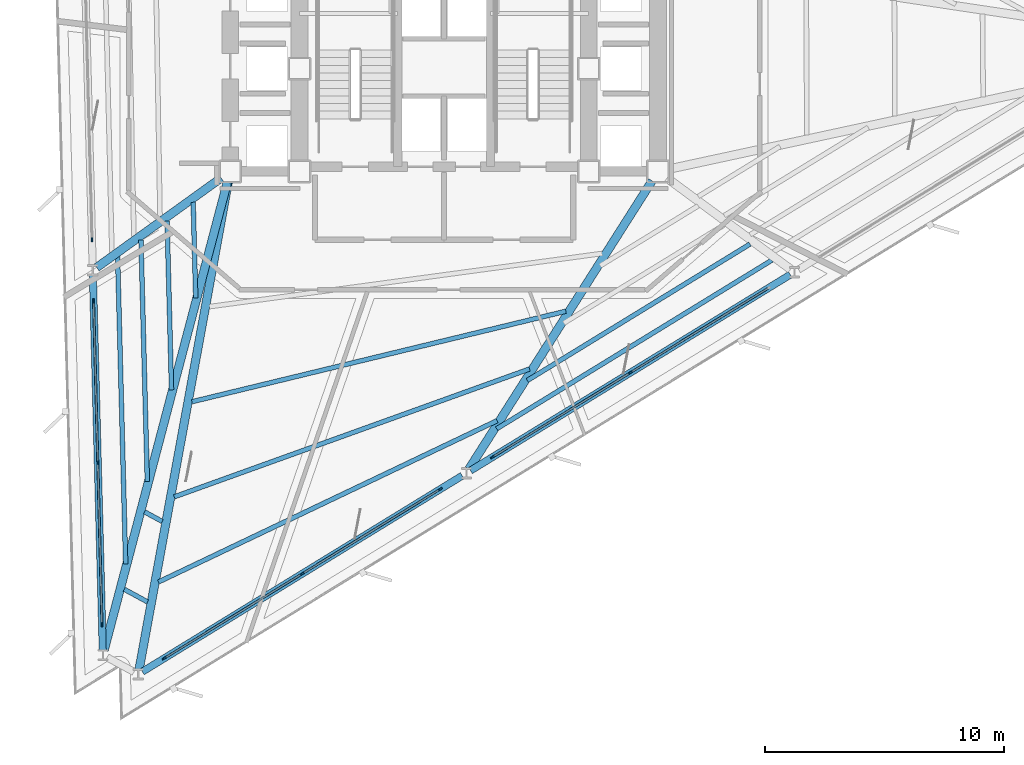
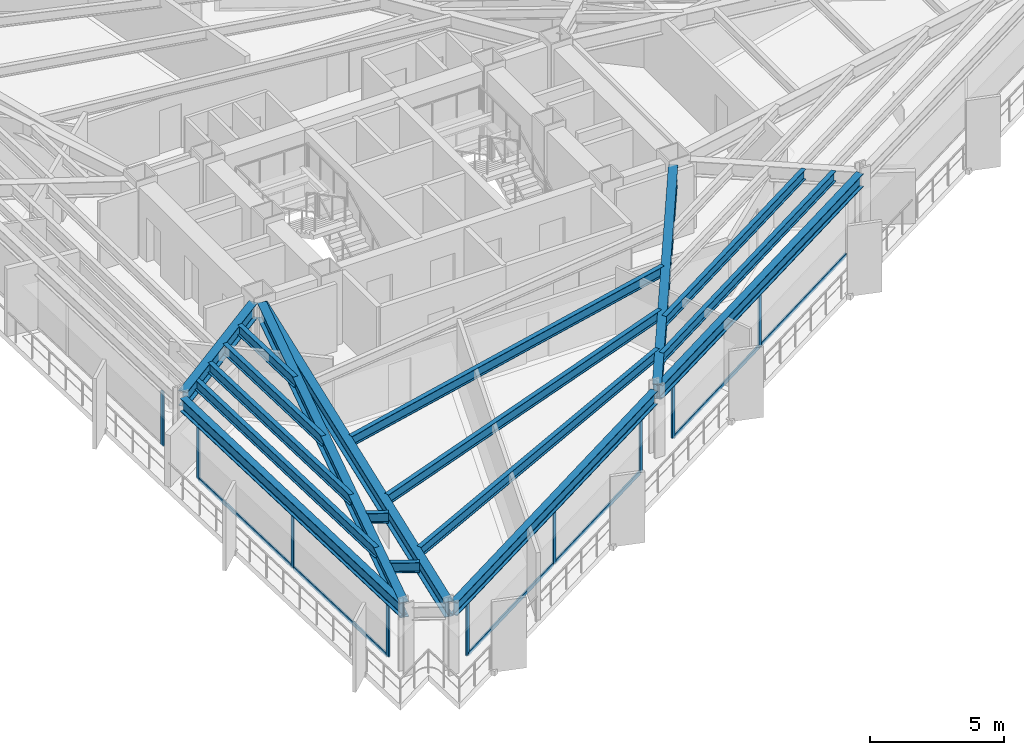
# One storey, part 2 of 14: 21 members, 18 beams, 4 elements without a shape of their own.
"""IFC4 building model written with IfcOpenShell, lengths in metres."""

from ifc_helpers import new_model, si_unit, direction, frame, origin, origin_2d, place, context, subcontext, project, spatial, rectangle, i_section, extrude, material, layer, layer_set, material_profile, profile_set, type_object, element, aggregate, save


model = new_model("IFC4")

# Units and contexts
model_context = context("Model", 3, precision=1e-05, world=origin(), true_north=direction((0.0, 1.0)))
body_context = subcontext(model_context, "Body", "Model", "MODEL_VIEW")
ifc_project = project(units=[si_unit("LENGTHUNIT", "METRE"), si_unit("AREAUNIT", "SQUARE_METRE"), si_unit("VOLUMEUNIT", "CUBIC_METRE"), si_unit("PLANEANGLEUNIT", "RADIAN"), si_unit("MASSUNIT", "GRAM", prefix="KILO")], contexts=[model_context])

# Site, building, storey
site_placement = place(None, origin())
site = spatial("IfcSite", under=ifc_project, at=site_placement, CompositionType="ELEMENT")
building_placement = place(site_placement, origin())
building = spatial("IfcBuilding", under=site, at=building_placement, Name="Rocaltana Carrier Exchange", CompositionType="ELEMENT")
storey_placement = place(building_placement, frame((0.0, 0.0, 32.320068359375)))
storey = spatial("IfcBuildingStorey", under=building, at=storey_placement, Name="L10", CompositionType="ELEMENT", Elevation=32.320068359375)

# Curtain wall, member
ifc_material_1 = material(Name="Aluminium 6063-T6", Category="aluminium")
ifc_layer = layer(ifc_material_1, 0.179931640625)
ifc_layer_set = layer_set([ifc_layer], Name="Aluminium 6063-T6")
curtain_wall_type = type_object("IfcCurtainWallType", Name="Sandstone Spandrel Unitised Curtain Wall CW-01", PredefinedType="NOTDEFINED", material=ifc_layer_set)
curtain_wall_1_placement = place(storey_placement, origin())
curtain_wall_1 = element("IfcCurtainWall", 1, at=curtain_wall_1_placement, inside=storey, type_object=curtain_wall_type, Name="L10 CW-01 Run CW-L10-F2S2", PredefinedType="NOTDEFINED")
ifc_material_2 = material(Name="Aluminium 6063-T6", Category="aluminium")
ifc_material_profile_1 = material_profile(ifc_material_2, rectangle(XDim=0.06494140625, YDim=0.179931640625, at=origin_2d()), Name="AL-65X180")
ifc_profile_set_1 = profile_set([ifc_material_profile_1], Name="Aluminium 6063-T6")
member_type_1 = type_object("IfcMemberType", Name="CW-01 Mullion AL-65X180", PredefinedType="MULLION", material=ifc_profile_set_1)
member_1_placement = place(storey_placement, frame((-14.733642578125, -7.155517578125, 0.0), z_axis=(0.0, 0.0, 1.0), x_axis=(0.99965733548, 0.026176547142, 0.0)))
member_1 = element("IfcMember", 2, at=member_1_placement, type_object=member_type_1, Name="CW-01 mullion 3", PredefinedType="MULLION", context=body_context, shape_type="SweptSolid", body=[
    extrude(rectangle(XDim=0.06494140625, YDim=0.179931640625, at=origin_2d()), origin(), (0.0, 0.0, 1.0), 2.47802734375),
])
aggregate(curtain_wall_1, [member_1])

# Curtain wall, members
curtain_wall_2_placement = place(storey_placement, origin())
curtain_wall_2 = element("IfcCurtainWall", 3, at=curtain_wall_2_placement, inside=storey, type_object=curtain_wall_type, Name="L10 CW-01 Run CW-L10-F2S3", PredefinedType="NOTDEFINED")
member_2_placement = place(storey_placement, frame((-14.66650390625, -9.7197265625, 0.0), z_axis=(0.0, 0.0, 1.0), x_axis=(0.999657143044, 0.026183895077, 0.0)))
member_2 = element("IfcMember", 4, at=member_2_placement, type_object=member_type_1, Name="CW-01 mullion 1", PredefinedType="MULLION", context=body_context, shape_type="SweptSolid", body=[
    extrude(rectangle(XDim=0.06494140625, YDim=0.179931640625, at=origin_2d()), origin(), (0.0, 0.0, 1.0), 2.47802734375),
])
member_3_placement = place(storey_placement, frame((-14.4892578125, -16.48486328125, 0.0), z_axis=(0.0, 0.0, 1.0), x_axis=(0.999657143044, 0.026183895077, 0.0)))
member_3 = element("IfcMember", 5, at=member_3_placement, type_object=member_type_1, Name="CW-01 mullion 2", PredefinedType="MULLION", context=body_context, shape_type="SweptSolid", body=[
    extrude(rectangle(XDim=0.06494140625, YDim=0.179931640625, at=origin_2d()), origin(), (0.0, 0.0, 1.0), 2.47802734375),
])
member_4_placement = place(storey_placement, frame((-14.31201171875, -23.25, 0.0), z_axis=(0.0, 0.0, 1.0), x_axis=(0.999657143044, 0.026183895077, 0.0)))
member_4 = element("IfcMember", 6, at=member_4_placement, type_object=member_type_1, Name="CW-01 mullion 3", PredefinedType="MULLION", context=body_context, shape_type="SweptSolid", body=[
    extrude(rectangle(XDim=0.06494140625, YDim=0.179931640625, at=origin_2d()), origin(), (0.0, 0.0, 1.0), 2.47802734375),
])

curtain_wall_3_placement = place(storey_placement, origin())
curtain_wall_3 = element("IfcCurtainWall", 7, at=curtain_wall_3_placement, inside=storey, type_object=curtain_wall_type, Name="L10 CW-01 Run CW-L10-F3S1", PredefinedType="NOTDEFINED")
member_5_placement = place(storey_placement, frame((-11.704345703125, -24.666015625, 0.0), z_axis=(0.0, 0.0, 1.0), x_axis=(-0.522505157925, 0.852636123996, 0.0)))
member_5 = element("IfcMember", 8, at=member_5_placement, type_object=member_type_1, Name="CW-01 mullion 1", PredefinedType="MULLION", context=body_context, shape_type="SweptSolid", body=[
    extrude(rectangle(XDim=0.06494140625, YDim=0.179931640625, at=origin_2d()), origin(), (0.0, 0.0, 1.0), 2.47802734375),
])
member_6_placement = place(storey_placement, frame((-5.93408203125, -21.130126953125, 0.0), z_axis=(0.0, 0.0, 1.0), x_axis=(-0.522505157925, 0.852636123996, 0.0)))
member_6 = element("IfcMember", 9, at=member_6_placement, type_object=member_type_1, Name="CW-01 mullion 2", PredefinedType="MULLION", context=body_context, shape_type="SweptSolid", body=[
    extrude(rectangle(XDim=0.06494140625, YDim=0.179931640625, at=origin_2d()), origin(), (0.0, 0.0, 1.0), 2.47802734375),
])
member_7_placement = place(storey_placement, frame((-0.163818359375, -17.593994140625, 0.0), z_axis=(0.0, 0.0, 1.0), x_axis=(-0.522505157925, 0.852636123996, 0.0)))
member_7 = element("IfcMember", 10, at=member_7_placement, type_object=member_type_1, Name="CW-01 mullion 3", PredefinedType="MULLION", context=body_context, shape_type="SweptSolid", body=[
    extrude(rectangle(XDim=0.06494140625, YDim=0.179931640625, at=origin_2d()), origin(), (0.0, 0.0, 1.0), 2.47802734375),
])

curtain_wall_4_placement = place(storey_placement, origin())
curtain_wall_4 = element("IfcCurtainWall", 11, at=curtain_wall_4_placement, inside=storey, type_object=curtain_wall_type, Name="L10 CW-01 Run CW-L10-F3S2", PredefinedType="NOTDEFINED")
member_8_placement = place(storey_placement, frame((2.023193359375, -16.25390625, 0.0), z_axis=(0.0, 0.0, 1.0), x_axis=(-0.522499812415, 0.852639399762, 0.0)))
member_8 = element("IfcMember", 12, at=member_8_placement, type_object=member_type_1, Name="CW-01 mullion 1", PredefinedType="MULLION", context=body_context, shape_type="SweptSolid", body=[
    extrude(rectangle(XDim=0.06494140625, YDim=0.179931640625, at=origin_2d()), origin(), (0.0, 0.0, 1.0), 2.47802734375),
])
member_9_placement = place(storey_placement, frame((7.79345703125, -12.7177734375, 0.0), z_axis=(0.0, 0.0, 1.0), x_axis=(-0.522499812415, 0.852639399762, 0.0)))
member_9 = element("IfcMember", 13, at=member_9_placement, type_object=member_type_1, Name="CW-01 mullion 2", PredefinedType="MULLION", context=body_context, shape_type="SweptSolid", body=[
    extrude(rectangle(XDim=0.06494140625, YDim=0.179931640625, at=origin_2d()), origin(), (0.0, 0.0, 1.0), 2.47802734375),
])

# Member
ifc_material_3 = material(Name="Aluminium 6063-T6", Category="aluminium")
ifc_material_profile_2 = material_profile(ifc_material_3, rectangle(XDim=0.06494140625, YDim=0.179931640625, at=origin_2d()), Name="AL-65X180")
ifc_profile_set_2 = profile_set([ifc_material_profile_2], Name="Aluminium 6063-T6")
member_type_2 = type_object("IfcMemberType", Name="CW-01 Transom AL-65X180", PredefinedType="USERDEFINED", material=ifc_profile_set_2)
member_10_placement = place(storey_placement, frame((-14.66552734375, -9.752197265625, 0.032470703125), z_axis=(0.026189818331, -0.999656987879, 0.0), x_axis=(0.999656987879, 0.026189818331, 0.0)))
member_10 = element("IfcMember", 14, at=member_10_placement, type_object=member_type_2, Name="CW-01 transom 1.1", ObjectType="TRANSOM", PredefinedType="USERDEFINED", context=body_context, shape_type="SweptSolid", body=[
    extrude(rectangle(XDim=0.06494140625, YDim=0.179931640625, at=origin_2d()), origin(), (0.0, 0.0, 1.0), 6.702392578125),
])

member_11_placement = place(storey_placement, frame((-14.66552734375, -9.752197265625, 2.4453125), z_axis=(0.026189818331, -0.999656987879, 0.0), x_axis=(0.999656987879, 0.026189818331, 0.0)))
member_11 = element("IfcMember", 15, at=member_11_placement, type_object=member_type_2, Name="CW-01 transom 1.2", ObjectType="TRANSOM", PredefinedType="USERDEFINED", context=body_context, shape_type="SweptSolid", body=[
    extrude(rectangle(XDim=0.06494140625, YDim=0.179931640625, at=origin_2d()), origin(), (0.0, 0.0, 1.0), 6.702392578125),
])

member_12_placement = place(storey_placement, frame((-14.48828125, -16.517333984375, 0.032470703125), z_axis=(0.026153417925, -0.999657940863, 0.0), x_axis=(0.999657940863, 0.026153417925, 0.0)))
member_12 = element("IfcMember", 16, at=member_12_placement, type_object=member_type_2, Name="CW-01 transom 2.1", ObjectType="TRANSOM", PredefinedType="USERDEFINED", context=body_context, shape_type="SweptSolid", body=[
    extrude(rectangle(XDim=0.06494140625, YDim=0.179931640625, at=origin_2d()), origin(), (0.0, 0.0, 1.0), 6.702392578125),
])

member_13_placement = place(storey_placement, frame((-14.48828125, -16.517333984375, 2.4453125), z_axis=(0.026153417925, -0.999657940863, 0.0), x_axis=(0.999657940863, 0.026153417925, 0.0)))
member_13 = element("IfcMember", 17, at=member_13_placement, type_object=member_type_2, Name="CW-01 transom 2.2", ObjectType="TRANSOM", PredefinedType="USERDEFINED", context=body_context, shape_type="SweptSolid", body=[
    extrude(rectangle(XDim=0.06494140625, YDim=0.179931640625, at=origin_2d()), origin(), (0.0, 0.0, 1.0), 6.702392578125),
])

aggregate(curtain_wall_2, [member_2, member_3, member_4, member_10, member_11, member_12, member_13])

member_14_placement = place(storey_placement, frame((-11.676513671875, -24.649169921875, 0.032470703125), z_axis=(0.85263109068, 0.522513371318, 0.0), x_axis=(-0.522513371318, 0.85263109068, 0.0)))
member_14 = element("IfcMember", 18, at=member_14_placement, type_object=member_type_2, Name="CW-01 transom 1.1", ObjectType="TRANSOM", PredefinedType="USERDEFINED", context=body_context, shape_type="SweptSolid", body=[
    extrude(rectangle(XDim=0.06494140625, YDim=0.179931640625, at=origin_2d()), origin(), (0.0, 0.0, 1.0), 6.70263671875),
])

member_15_placement = place(storey_placement, frame((-11.676513671875, -24.649169921875, 2.4453125), z_axis=(0.85263109068, 0.522513371318, 0.0), x_axis=(-0.522513371318, 0.85263109068, 0.0)))
member_15 = element("IfcMember", 19, at=member_15_placement, type_object=member_type_2, Name="CW-01 transom 1.2", ObjectType="TRANSOM", PredefinedType="USERDEFINED", context=body_context, shape_type="SweptSolid", body=[
    extrude(rectangle(XDim=0.06494140625, YDim=0.179931640625, at=origin_2d()), origin(), (0.0, 0.0, 1.0), 6.70263671875),
])

member_16_placement = place(storey_placement, frame((-5.90625, -21.113037109375, 0.032470703125), z_axis=(0.85264731822, 0.522486890488, 0.0), x_axis=(-0.522486890488, 0.85264731822, 0.0)))
member_16 = element("IfcMember", 20, at=member_16_placement, type_object=member_type_2, Name="CW-01 transom 2.1", ObjectType="TRANSOM", PredefinedType="USERDEFINED", context=body_context, shape_type="SweptSolid", body=[
    extrude(rectangle(XDim=0.06494140625, YDim=0.179931640625, at=origin_2d()), origin(), (0.0, 0.0, 1.0), 6.702392578125),
])

member_17_placement = place(storey_placement, frame((-5.90625, -21.113037109375, 2.4453125), z_axis=(0.85264731822, 0.522486890488, 0.0), x_axis=(-0.522486890488, 0.85264731822, 0.0)))
member_17 = element("IfcMember", 21, at=member_17_placement, type_object=member_type_2, Name="CW-01 transom 2.2", ObjectType="TRANSOM", PredefinedType="USERDEFINED", context=body_context, shape_type="SweptSolid", body=[
    extrude(rectangle(XDim=0.06494140625, YDim=0.179931640625, at=origin_2d()), origin(), (0.0, 0.0, 1.0), 6.702392578125),
])

aggregate(curtain_wall_3, [member_5, member_6, member_7, member_14, member_15, member_16, member_17])

member_18_placement = place(storey_placement, frame((2.051025390625, -16.23681640625, 0.032470703125), z_axis=(0.852637373876, 0.522503118335, 0.0), x_axis=(-0.522503118335, 0.852637373876, 0.0)))
member_18 = element("IfcMember", 22, at=member_18_placement, type_object=member_type_2, Name="CW-01 transom 1.1", ObjectType="TRANSOM", PredefinedType="USERDEFINED", context=body_context, shape_type="SweptSolid", body=[
    extrude(rectangle(XDim=0.06494140625, YDim=0.179931640625, at=origin_2d()), origin(), (0.0, 0.0, 1.0), 6.7021484375),
])

member_19_placement = place(storey_placement, frame((2.051025390625, -16.23681640625, 2.4453125), z_axis=(0.852637373876, 0.522503118335, 0.0), x_axis=(-0.522503118335, 0.852637373876, 0.0)))
member_19 = element("IfcMember", 23, at=member_19_placement, type_object=member_type_2, Name="CW-01 transom 1.2", ObjectType="TRANSOM", PredefinedType="USERDEFINED", context=body_context, shape_type="SweptSolid", body=[
    extrude(rectangle(XDim=0.06494140625, YDim=0.179931640625, at=origin_2d()), origin(), (0.0, 0.0, 1.0), 6.7021484375),
])

member_20_placement = place(storey_placement, frame((7.821044921875, -12.700927734375, 0.032470703125), z_axis=(0.85263109068, 0.522513371318, 0.0), x_axis=(-0.522513371318, 0.85263109068, 0.0)))
member_20 = element("IfcMember", 24, at=member_20_placement, type_object=member_type_2, Name="CW-01 transom 2.1", ObjectType="TRANSOM", PredefinedType="USERDEFINED", context=body_context, shape_type="SweptSolid", body=[
    extrude(rectangle(XDim=0.06494140625, YDim=0.179931640625, at=origin_2d()), origin(), (0.0, 0.0, 1.0), 6.70263671875),
])

member_21_placement = place(storey_placement, frame((7.821044921875, -12.700927734375, 2.4453125), z_axis=(0.85263109068, 0.522513371318, 0.0), x_axis=(-0.522513371318, 0.85263109068, 0.0)))
member_21 = element("IfcMember", 25, at=member_21_placement, type_object=member_type_2, Name="CW-01 transom 2.2", ObjectType="TRANSOM", PredefinedType="USERDEFINED", context=body_context, shape_type="SweptSolid", body=[
    extrude(rectangle(XDim=0.06494140625, YDim=0.179931640625, at=origin_2d()), origin(), (0.0, 0.0, 1.0), 6.70263671875),
])

aggregate(curtain_wall_4, [member_8, member_9, member_18, member_19, member_20, member_21])

# Beams
ifc_material_4 = material(Name="Steel S355", Category="steel")
ifc_material_profile_3 = material_profile(ifc_material_4, i_section(OverallWidth=0.193115234375, OverallDepth=0.466064453125, WebThickness=0.011474609375, FlangeThickness=0.01904296875, FilletRadius=0.013916015625, at=origin_2d()), Name="W18X65")
ifc_profile_set_3 = profile_set([ifc_material_profile_3], Name="Steel S355")
beam_type_1 = type_object("IfcBeamType", Name="Floor Joist W18X65", PredefinedType="JOIST", material=ifc_profile_set_3)
beam_1_placement = place(storey_placement, frame((-10.498046875, -5.588623046875, 2.864990234375), z_axis=(0.02615756085, -0.999657832466, 0.0), x_axis=(0.999657832466, 0.02615756085, 0.0)))
element("IfcBeam", 26, at=beam_1_placement, inside=storey, type_object=beam_type_1, Name="FJ-L10-07-1", PredefinedType="JOIST", context=body_context, shape_type="SweptSolid", body=[
    extrude(i_section(OverallWidth=0.193115234375, OverallDepth=0.466064453125, WebThickness=0.011474609375, FlangeThickness=0.01904296875, FilletRadius=0.013916015625, at=origin_2d()), origin(), (0.0, 0.0, 1.0), 4.004150390625),
])
beam_2_placement = place(storey_placement, frame((-11.590576171875, -6.374755859375, 2.864990234375), z_axis=(0.026201236861, -0.999656688662, 0.0), x_axis=(0.999656688662, 0.026201236861, 0.0)))
element("IfcBeam", 27, at=beam_2_placement, inside=storey, type_object=beam_type_1, Name="FJ-L10-07-2", PredefinedType="JOIST", context=body_context, shape_type="SweptSolid", body=[
    extrude(i_section(OverallWidth=0.193115234375, OverallDepth=0.466064453125, WebThickness=0.011474609375, FlangeThickness=0.01904296875, FilletRadius=0.013916015625, at=origin_2d()), origin(), (0.0, 0.0, 1.0), 7.06298828125),
])
beam_3_placement = place(storey_placement, frame((-12.68310546875, -7.160888671875, 2.864990234375), z_axis=(0.026193779282, -0.999656884099, 0.0), x_axis=(0.999656884099, 0.026193779282, 0.0)))
element("IfcBeam", 28, at=beam_3_placement, inside=storey, type_object=beam_type_1, Name="FJ-L10-07-3", PredefinedType="JOIST", context=body_context, shape_type="SweptSolid", body=[
    extrude(i_section(OverallWidth=0.193115234375, OverallDepth=0.466064453125, WebThickness=0.011474609375, FlangeThickness=0.01904296875, FilletRadius=0.013916015625, at=origin_2d()), origin(), (0.0, 0.0, 1.0), 10.1220703125),
])
beam_4_placement = place(storey_placement, frame((-13.660400390625, -7.864501953125, 2.864990234375), z_axis=(0.026162886521, -0.999657693097, 0.0), x_axis=(0.999657693097, 0.026162886521, 0.0)))
element("IfcBeam", 29, at=beam_4_placement, inside=storey, type_object=beam_type_1, Name="FJ-L10-07-4", PredefinedType="JOIST", context=body_context, shape_type="SweptSolid", body=[
    extrude(i_section(OverallWidth=0.193115234375, OverallDepth=0.466064453125, WebThickness=0.011474609375, FlangeThickness=0.01904296875, FilletRadius=0.013916015625, at=origin_2d()), origin(), (0.0, 0.0, 1.0), 12.85888671875),
])
beam_5_placement = place(storey_placement, frame((-12.529296875, -18.54443359375, 2.864990234375), z_axis=(0.878797482276, -0.477194913159, 0.0), x_axis=(0.477194913159, 0.878797482276, 0.0)))
element("IfcBeam", 30, at=beam_5_placement, inside=storey, type_object=beam_type_1, Name="FJ-L10-08-3", PredefinedType="JOIST", context=body_context, shape_type="SweptSolid", body=[
    extrude(i_section(OverallWidth=0.193115234375, OverallDepth=0.466064453125, WebThickness=0.011474609375, FlangeThickness=0.01904296875, FilletRadius=0.013916015625, at=origin_2d()), origin(), (0.0, 0.0, 1.0), 0.83642578125),
])
beam_6_placement = place(storey_placement, frame((-13.3818359375, -21.781494140625, 2.864990234375), z_axis=(0.878771440965, -0.477242867462, 0.0), x_axis=(0.477242867462, 0.878771440965, 0.0)))
element("IfcBeam", 31, at=beam_6_placement, inside=storey, type_object=beam_type_1, Name="FJ-L10-08-4", PredefinedType="JOIST", context=body_context, shape_type="SweptSolid", body=[
    extrude(i_section(OverallWidth=0.193115234375, OverallDepth=0.466064453125, WebThickness=0.011474609375, FlangeThickness=0.01904296875, FilletRadius=0.013916015625, at=origin_2d()), origin(), (0.0, 0.0, 1.0), 1.10595703125),
])
beam_7_placement = place(storey_placement, frame((-10.55322265625, -13.936279296875, 2.864990234375), z_axis=(0.971913306863, 0.235339167889, 0.0), x_axis=(-0.235339167889, 0.971913306863, 0.0)))
element("IfcBeam", 32, at=beam_7_placement, inside=storey, type_object=beam_type_1, Name="FJ-L10-09-2", PredefinedType="JOIST", context=body_context, shape_type="SweptSolid", body=[
    extrude(i_section(OverallWidth=0.193115234375, OverallDepth=0.466064453125, WebThickness=0.011474609375, FlangeThickness=0.01904296875, FilletRadius=0.013916015625, at=origin_2d()), origin(), (0.0, 0.0, 1.0), 16.099365234375),
])
beam_8_placement = place(storey_placement, frame((-11.289794921875, -17.915283203125, 2.864990234375), z_axis=(0.940885835943, 0.338723845813, 0.0), x_axis=(-0.338723845813, 0.940885835943, 0.0)))
element("IfcBeam", 33, at=beam_8_placement, inside=storey, type_object=beam_type_1, Name="FJ-L10-09-3", PredefinedType="JOIST", context=body_context, shape_type="SweptSolid", body=[
    extrude(i_section(OverallWidth=0.193115234375, OverallDepth=0.466064453125, WebThickness=0.011474609375, FlangeThickness=0.01904296875, FilletRadius=0.013916015625, at=origin_2d()), origin(), (0.0, 0.0, 1.0), 15.799072265625),
])
beam_9_placement = place(storey_placement, frame((-11.950439453125, -21.475830078125, 2.864990234375), z_axis=(0.902777117636, 0.430108679141, 0.0), x_axis=(-0.430108679141, 0.902777117636, 0.0)))
element("IfcBeam", 34, at=beam_9_placement, inside=storey, type_object=beam_type_1, Name="FJ-L10-09-4", PredefinedType="JOIST", context=body_context, shape_type="SweptSolid", body=[
    extrude(i_section(OverallWidth=0.193115234375, OverallDepth=0.466064453125, WebThickness=0.011474609375, FlangeThickness=0.01904296875, FilletRadius=0.013916015625, at=origin_2d()), origin(), (0.0, 0.0, 1.0), 15.69482421875),
])
beam_10_placement = place(storey_placement, frame((3.48193359375, -13.047119140625, 2.864990234375), z_axis=(0.852647168541, 0.52248713475, 0.0), x_axis=(-0.52248713475, 0.852647168541, 0.0)))
element("IfcBeam", 35, at=beam_10_placement, inside=storey, type_object=beam_type_1, Name="FJ-L10-10-3", PredefinedType="JOIST", context=body_context, shape_type="SweptSolid", body=[
    extrude(i_section(OverallWidth=0.193115234375, OverallDepth=0.466064453125, WebThickness=0.011474609375, FlangeThickness=0.01904296875, FilletRadius=0.013916015625, at=origin_2d()), origin(), (0.0, 0.0, 1.0), 10.927001953125),
])
beam_11_placement = place(storey_placement, frame((2.19873046875, -15.06689453125, 2.864990234375), z_axis=(0.852643866126, 0.522492523926, 0.0), x_axis=(-0.522492523926, 0.852643866126, 0.0)))
element("IfcBeam", 36, at=beam_11_placement, inside=storey, type_object=beam_type_1, Name="FJ-L10-10-4", PredefinedType="JOIST", context=body_context, shape_type="SweptSolid", body=[
    extrude(i_section(OverallWidth=0.193115234375, OverallDepth=0.466064453125, WebThickness=0.011474609375, FlangeThickness=0.01904296875, FilletRadius=0.013916015625, at=origin_2d()), origin(), (0.0, 0.0, 1.0), 13.5029296875),
])
ifc_material_5 = material(Name="Steel S355", Category="steel")
ifc_material_profile_4 = material_profile(ifc_material_5, i_section(OverallWidth=0.35498046875, OverallDepth=0.695068359375, WebThickness=0.015380859375, FlangeThickness=0.02490234375, FilletRadius=0.01806640625, at=origin_2d()), Name="W27X146")
ifc_profile_set_4 = profile_set([ifc_material_profile_4], Name="Steel S355")
beam_type_2 = type_object("IfcBeamType", Name="Radial Girder W27X146", PredefinedType="BEAM", material=ifc_profile_set_4)
beam_12_placement = place(storey_placement, frame((-9.3291015625, -4.57275390625, 2.75048828125), z_axis=(-0.811680897727, -0.584101121609, 0.0), x_axis=(0.584101121609, -0.811680897727, 0.0)))
element("IfcBeam", 37, at=beam_12_placement, inside=storey, type_object=beam_type_2, Name="RG-L10-07", PredefinedType="BEAM", context=body_context, shape_type="SweptSolid", body=[
    extrude(i_section(OverallWidth=0.35498046875, OverallDepth=0.695068359375, WebThickness=0.015380859375, FlangeThickness=0.02490234375, FilletRadius=0.01806640625, at=origin_2d()), origin(), (0.0, 0.0, 1.0), 6.4130859375),
])
beam_13_placement = place(storey_placement, frame((-9.06884765625, -4.751708984375, 2.75048828125), z_axis=(-0.254688527576, -0.967023140323, 0.0), x_axis=(0.967023140323, -0.254688527576, 0.0)))
element("IfcBeam", 38, at=beam_13_placement, inside=storey, type_object=beam_type_2, Name="RG-L10-08", PredefinedType="BEAM", context=body_context, shape_type="SweptSolid", body=[
    extrude(i_section(OverallWidth=0.35498046875, OverallDepth=0.695068359375, WebThickness=0.015380859375, FlangeThickness=0.02490234375, FilletRadius=0.01806640625, at=origin_2d()), origin(), (0.0, 0.0, 1.0), 20.2509765625),
])
beam_14_placement = place(storey_placement, frame((-9.033935546875, -4.759521484375, 2.75048828125), z_axis=(-0.179928749917, -0.983679645491, 0.0), x_axis=(0.983679645491, -0.179928749917, 0.0)))
element("IfcBeam", 39, at=beam_14_placement, inside=storey, type_object=beam_type_2, Name="RG-L10-09", PredefinedType="BEAM", context=body_context, shape_type="SweptSolid", body=[
    extrude(i_section(OverallWidth=0.35498046875, OverallDepth=0.695068359375, WebThickness=0.015380859375, FlangeThickness=0.02490234375, FilletRadius=0.01806640625, at=origin_2d()), origin(), (0.0, 0.0, 1.0), 20.714111328125),
])
beam_15_placement = place(storey_placement, frame((8.69970703125, -4.694091796875, 2.75048828125), z_axis=(-0.536258289546, -0.844053936009, 0.0), x_axis=(0.844053936009, -0.536258289546, 0.0)))
element("IfcBeam", 40, at=beam_15_placement, inside=storey, type_object=beam_type_2, Name="RG-L10-10", PredefinedType="BEAM", context=body_context, shape_type="SweptSolid", body=[
    extrude(i_section(OverallWidth=0.35498046875, OverallDepth=0.695068359375, WebThickness=0.015380859375, FlangeThickness=0.02490234375, FilletRadius=0.01806640625, at=origin_2d()), origin(), (0.0, 0.0, 1.0), 14.285400390625),
])
ifc_material_6 = material(Name="Steel S355", Category="steel")
ifc_material_profile_5 = material_profile(ifc_material_6, i_section(OverallWidth=0.300048828125, OverallDepth=0.60009765625, WebThickness=0.015380859375, FlangeThickness=0.030029296875, FilletRadius=0.027099609375, at=origin_2d()), Name="HEB600")
ifc_profile_set_5 = profile_set([ifc_material_profile_5], Name="Steel S355")
beam_type_3 = type_object("IfcBeamType", Name="Spandrel Edge Beam HEB600", PredefinedType="SPANDREL", material=ifc_profile_set_5)
beam_16_placement = place(storey_placement, frame((-14.694580078125, -8.6416015625, 2.7978515625), z_axis=(0.026184348618, -0.999657131164, 0.0), x_axis=(0.999657131164, 0.026184348618, 0.0)))
element("IfcBeam", 41, at=beam_16_placement, inside=storey, type_object=beam_type_3, Name="SP-L10-07", PredefinedType="SPANDREL", context=body_context, shape_type="SweptSolid", body=[
    extrude(i_section(OverallWidth=0.300048828125, OverallDepth=0.60009765625, WebThickness=0.015380859375, FlangeThickness=0.030029296875, FilletRadius=0.027099609375, at=origin_2d()), origin(), (0.0, 0.0, 1.0), 15.692138671875),
])
beam_17_placement = place(storey_placement, frame((-12.623779296875, -25.2294921875, 2.7978515625), z_axis=(0.852642393394, 0.522494927236, 0.0), x_axis=(-0.522494927236, 0.852642393394, 0.0)))
element("IfcBeam", 42, at=beam_17_placement, inside=storey, type_object=beam_type_3, Name="SP-L10-09", PredefinedType="SPANDREL", context=body_context, shape_type="SweptSolid", body=[
    extrude(i_section(OverallWidth=0.300048828125, OverallDepth=0.60009765625, WebThickness=0.015380859375, FlangeThickness=0.030029296875, FilletRadius=0.027099609375, at=origin_2d()), origin(), (0.0, 0.0, 1.0), 15.69189453125),
])
beam_18_placement = place(storey_placement, frame((1.103515625, -16.8173828125, 2.7978515625), z_axis=(0.852646640744, 0.522487996061, 0.0), x_axis=(-0.522487996061, 0.852646640744, 0.0)))
element("IfcBeam", 43, at=beam_18_placement, inside=storey, type_object=beam_type_3, Name="SP-L10-10", PredefinedType="SPANDREL", context=body_context, shape_type="SweptSolid", body=[
    extrude(i_section(OverallWidth=0.300048828125, OverallDepth=0.60009765625, WebThickness=0.015380859375, FlangeThickness=0.030029296875, FilletRadius=0.027099609375, at=origin_2d()), origin(), (0.0, 0.0, 1.0), 15.692138671875),
])

save(model, "model.ifc")
